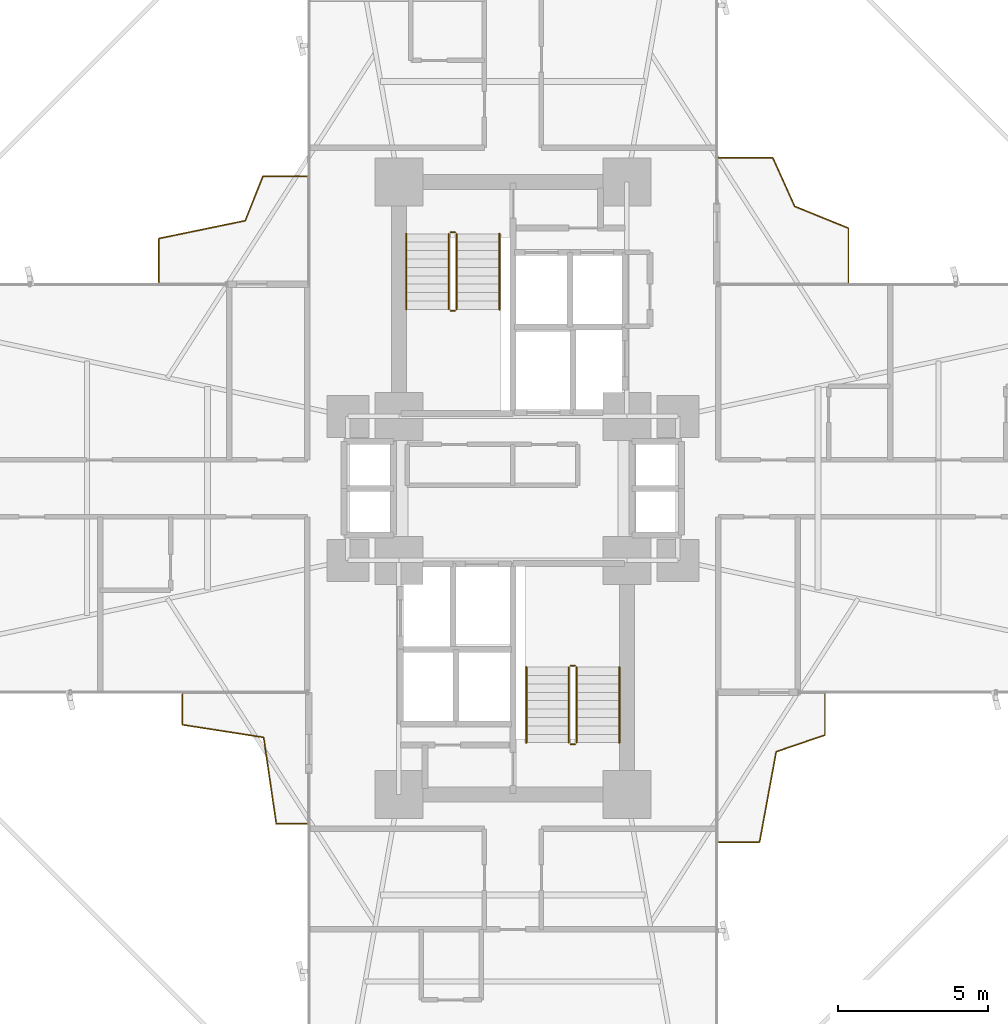
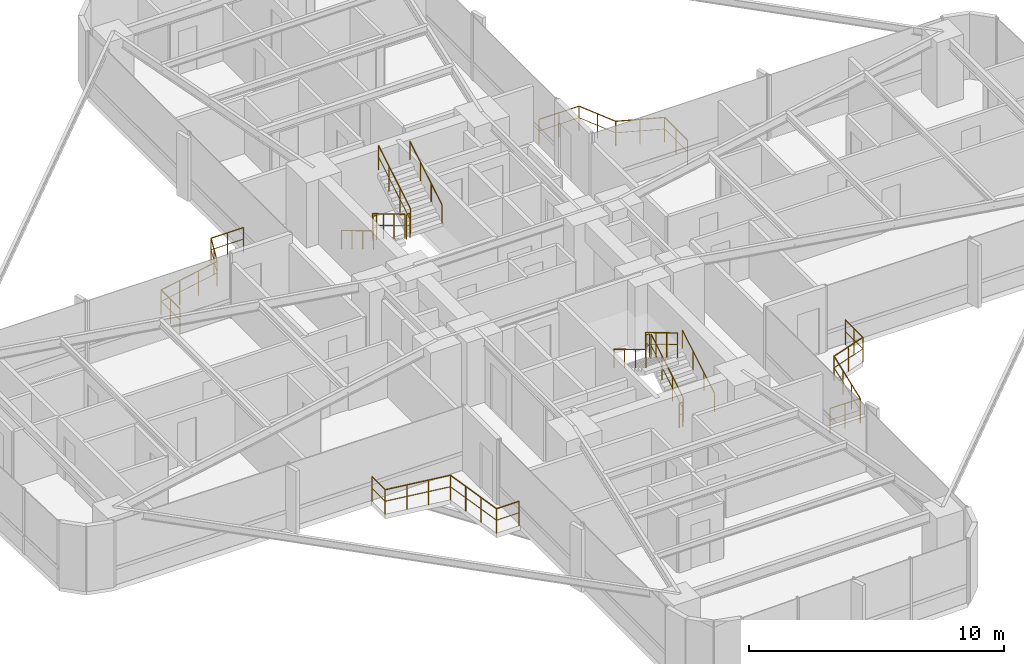
# One storey, part 26 of 26: 16 railings.
"""IFC4 building model written with IfcOpenShell, lengths in metres."""

import ifcopenshell
import ifcopenshell.guid

model = None  # the IFC model being written
_history = None  # IfcOwnerHistory: only IFC2X3 demands one
_inside = {}  # id of a spatial element -> (the spatial element, [elements in it])
_under = {}  # id of a project, library or spatial element -> (it, [spatial elements below it])
_declared = {}  # id of a project -> (the project, [libraries it declares])
_typed = {}  # id of a type object -> (the type object, [elements of that type])
_made_of = {}  # id of a material, layer set ... -> (it, [elements and type objects made of it])


def new_model(schema):
    """Start an empty IFC model of exactly this schema.

    Asked for "IFC4X3", IfcOpenShell would pick the latest addendum, in which some entities
    have other attributes; the version numbers below select the first issue.
    IFC2X3 requires an IfcOwnerHistory on every rooted entity: one is made here for all.
    """
    global model, _history
    if schema == "IFC4X3":
        model = ifcopenshell.file(schema_version=(4, 3, 0, 0))
    else:
        model = ifcopenshell.file(schema=schema)
    _inside.clear()
    _under.clear()
    _declared.clear()
    _typed.clear()
    _made_of.clear()
    _history = None
    if model.schema == "IFC2X3":
        org = make("IfcOrganization", Name="unknown")
        user = make(
            "IfcPersonAndOrganization",
            ThePerson=make("IfcPerson", FamilyName="unknown"),
            TheOrganization=org,
        )
        app = make(
            "IfcApplication",
            ApplicationDeveloper=org,
            Version="unknown",
            ApplicationFullName="unknown",
            ApplicationIdentifier="unknown",
        )
        _history = make(
            "IfcOwnerHistory",
            OwningUser=user,
            OwningApplication=app,
            ChangeAction="ADDED",
            CreationDate=0,
        )
    return model


def make(cls, **values):
    """One entity of the class cls with the attributes given. An attribute that is None is left unset."""
    return model.create_entity(
        cls, **{name: value for name, value in values.items() if value is not None}
    )


def rooted(cls, **values):
    """An entity with a GlobalId (a new one), such as an element, a storey or a relation."""
    return make(cls, GlobalId=ifcopenshell.guid.new(), OwnerHistory=_history, **values)


def si_unit(unit_type, name, prefix=None):
    """IfcSIUnit, for example si_unit("LENGTHUNIT", "METRE", prefix="MILLI")."""
    return make("IfcSIUnit", UnitType=unit_type, Prefix=prefix, Name=name)


def assignment(units):
    """IfcUnitAssignment: the units of a project."""
    return None if units is None else make("IfcUnitAssignment", Units=units)


def point(xyz):
    """IfcCartesianPoint."""
    return None if xyz is None else make("IfcCartesianPoint", Coordinates=xyz)


def direction(xyz):
    """IfcDirection."""
    return None if xyz is None else make("IfcDirection", DirectionRatios=xyz)


def frame(location, z_axis=None, x_axis=None):
    """IfcAxis2Placement3D, a coordinate frame: its origin and axes. An axis left out is left unset."""
    return make(
        "IfcAxis2Placement3D",
        Location=point(location),
        Axis=direction(z_axis),
        RefDirection=direction(x_axis),
    )


def frame_2d(location, x_axis=None):
    """IfcAxis2Placement2D, a coordinate frame in the plane: its origin and x axis."""
    return make(
        "IfcAxis2Placement2D", Location=point(location), RefDirection=direction(x_axis)
    )


def origin():
    """The frame at (0, 0, 0) with its axes left unset."""
    return frame((0.0, 0.0, 0.0))


def origin_2d():
    """The frame at (0, 0) in the plane with its x axis left unset."""
    return frame_2d((0.0, 0.0))


def place(relative_to, where):
    """IfcLocalPlacement: puts the frame where relative to a parent placement (None: the world)."""
    return make(
        "IfcLocalPlacement", PlacementRelTo=relative_to, RelativePlacement=where
    )


def context(
    kind, dimensions, precision=None, world=None, true_north=None, identifier=None
):
    """IfcGeometricRepresentationContext, for example the 3D "Model" context."""
    return make(
        "IfcGeometricRepresentationContext",
        ContextIdentifier=identifier,
        ContextType=kind,
        CoordinateSpaceDimension=dimensions,
        Precision=precision,
        WorldCoordinateSystem=world,
        TrueNorth=true_north,
    )


def subcontext(parent, identifier, kind, view, scale=None):
    """IfcGeometricRepresentationSubContext, for example "Body" below "Model"."""
    return make(
        "IfcGeometricRepresentationSubContext",
        ContextIdentifier=identifier,
        ContextType=kind,
        ParentContext=parent,
        TargetScale=scale,
        TargetView=view,
    )


def project(units=None, contexts=None):
    """IfcProject with its units and contexts."""
    return rooted(
        "IfcProject",
        Name="project",
        RepresentationContexts=contexts,
        UnitsInContext=assignment(units),
    )


def spatial(cls, under=None, at=None, **own):
    """A site, building, storey or space (cls), placed at a placement, below another one or the project."""
    s = rooted(cls, ObjectPlacement=at, **own)
    if under is not None:
        _under.setdefault(under.id(), (under, []))[1].append(s)
    return s


def profile(cls, at=None, kind="AREA", **sizes):
    """A parametric profile (cls). Its sizes go by their IFC names, for example OverallWidth=200.0."""
    return make(cls, ProfileType=kind, Position=at, **sizes)


def circle(**sizes):
    """IfcCircleProfileDef."""
    return profile("IfcCircleProfileDef", **sizes)


def extrude(swept, where, along, depth):
    """IfcExtrudedAreaSolid: the profile swept, set in the frame where, extruded along a direction by depth."""
    return make(
        "IfcExtrudedAreaSolid",
        SweptArea=swept,
        Position=where,
        ExtrudedDirection=direction(along),
        Depth=depth,
    )


def shape(context_of_items, identifier, shape_type, items):
    """IfcShapeRepresentation: the items that make up one representation, for example the "Body"."""
    return make(
        "IfcShapeRepresentation",
        ContextOfItems=context_of_items,
        RepresentationIdentifier=identifier,
        RepresentationType=shape_type,
        Items=items,
    )


def material(Name=None, Category=None):
    """IfcMaterial."""
    return make("IfcMaterial", Name=Name, Category=Category)


def made_of(thing, what):
    """Note that an element or type object is made of a material, layer set ...; save() writes the relation."""
    if what is not None:
        _made_of.setdefault(what.id(), (what, []))[1].append(thing)
    return thing


def type_object(cls, material=None, **own):
    """A type object (cls), such as IfcWallType, which elements share."""
    return made_of(rooted(cls, **own), material)


def element(
    cls,
    number,
    at=None,
    inside=None,
    cuts=None,
    type_object=None,
    material=None,
    context=None,
    identifier="Body",
    shape_type=None,
    held_by="IfcProductDefinitionShape",
    body=None,
    shapes=None,
    **own,
):
    """One element of the class cls, such as IfcWall. Its Tag is "e" and its number.

    at: its placement. inside: the storey or other place that contains it. cuts: it is an
    opening in that element (IfcRelVoidsElement). A single representation is given by context,
    identifier, shape_type and body (its items); several are given by shapes. held_by: the class
    of the entity that holds the representations. save() writes the other relations.
    """
    e = rooted(cls, Tag="e%d" % number, ObjectPlacement=at, **own)
    if body is not None:
        shapes = [shape(context, identifier, shape_type, body)]
    if shapes is not None:
        e.Representation = make(held_by, Representations=shapes)
    if inside is not None:
        _inside.setdefault(inside.id(), (inside, []))[1].append(e)
    if cuts is not None:
        rooted(
            "IfcRelVoidsElement", RelatingBuildingElement=cuts, RelatedOpeningElement=e
        )
    if type_object is not None:
        _typed.setdefault(type_object.id(), (type_object, []))[1].append(e)
    return made_of(e, material)


def aggregate(whole, parts):
    """IfcRelAggregates: a whole, such as a stair, and the parts it consists of."""
    return rooted("IfcRelAggregates", RelatingObject=whole, RelatedObjects=parts)


def save(model, path):
    """Write the relations noted so far, then the file.

    IfcRelAggregates (storeys below a building ...), IfcRelContainedInSpatialStructure (elements
    in a storey), IfcRelDefinesByType, IfcRelAssociatesMaterial and IfcRelDeclares: one each for
    every whole, place, type object, material and project.
    """
    for whole, parts in _under.values():
        aggregate(whole, parts)
    for where, things in _inside.values():
        rooted(
            "IfcRelContainedInSpatialStructure",
            RelatedElements=things,
            RelatingStructure=where,
        )
    for kind, things in _typed.values():
        rooted("IfcRelDefinesByType", RelatedObjects=things, RelatingType=kind)
    for what, things in _made_of.values():
        rooted("IfcRelAssociatesMaterial", RelatedObjects=things, RelatingMaterial=what)
    for by, libraries in _declared.values():
        rooted("IfcRelDeclares", RelatingContext=by, RelatedDefinitions=libraries)
    model.write(path)


model = new_model("IFC4")

# Units and contexts
model_context = context("Model", 3, precision=1e-05, world=origin(), true_north=direction((0.0, 1.0)))
body_context = subcontext(model_context, "Body", "Model", "MODEL_VIEW")
ifc_project = project(units=[si_unit("LENGTHUNIT", "METRE"), si_unit("AREAUNIT", "SQUARE_METRE"), si_unit("VOLUMEUNIT", "CUBIC_METRE"), si_unit("PLANEANGLEUNIT", "RADIAN"), si_unit("MASSUNIT", "GRAM", prefix="KILO")], contexts=[model_context])

# Site, building, storey
site_placement = place(None, origin())
site = spatial("IfcSite", under=ifc_project, at=site_placement, CompositionType="ELEMENT")
building_placement = place(site_placement, origin())
building = spatial("IfcBuilding", under=site, at=building_placement, Name="Sahyath Konkavel Grand Hotel", CompositionType="ELEMENT")
storey_placement = place(building_placement, frame((0.0, 0.0, 51.050048828125)))
storey = spatial("IfcBuildingStorey", under=building, at=storey_placement, Name="L13", CompositionType="ELEMENT", Elevation=51.050048828125)

# Railings
ifc_material_1 = material(Name="Anodised Bronze Aluminium", Category="aluminium")
railing_type_1 = type_object("IfcRailingType", Name="RLG-BALC-1200", PredefinedType="GUARDRAIL", material=ifc_material_1)
railing_1_placement = place(storey_placement, frame((11.18798828125, 6.860107421875, 0.0)))
element("IfcRailing", 1, at=railing_1_placement, inside=storey, type_object=railing_type_1, Name="L13 Winter-Garden Guard NE", PredefinedType="GUARDRAIL", context=body_context, shape_type="SweptSolid", body=[
    extrude(circle(Radius=0.02392578125, at=origin_2d()), frame((0.0, 0.001953125, 1.17578125), z_axis=(0.0, 1.0, 0.0), x_axis=(-1.0, 0.0, 0.0)), (0.0, 0.0, 1.0), 1.80517578125),
    extrude(circle(Radius=0.01416015625, at=origin_2d()), frame((0.0, 0.001953125, 0.6240234375), z_axis=(0.0, 1.0, 0.0), x_axis=(-1.0, 0.0, 0.0)), (0.0, 0.0, 1.0), 1.80517578125),
    extrude(circle(Radius=0.02392578125, at=origin_2d()), frame((-0.001953125, 1.809814453125, 1.17578125), z_axis=(-0.926681042321, 0.37584870068, 0.0), x_axis=(-0.37584870068, -0.926681042321, 0.0)), (0.0, 0.0, 1.0), 1.9296875),
    extrude(circle(Radius=0.01416015625, at=origin_2d()), frame((-0.001953125, 1.809814453125, 0.6240234375), z_axis=(-0.926681042321, 0.37584870068, 0.0), x_axis=(-0.37584870068, -0.926681042321, 0.0)), (0.0, 0.0, 1.0), 1.9296875),
    extrude(circle(Radius=0.02392578125, at=origin_2d()), frame((-1.792724609375, 2.53759765625, 1.17578125), z_axis=(-0.410187066774, 0.912001409128, 0.0), x_axis=(-0.912001409128, -0.410187066774, 0.0)), (0.0, 0.0, 1.0), 1.767822265625),
    extrude(circle(Radius=0.01416015625, at=origin_2d()), frame((-1.792724609375, 2.53759765625, 0.6240234375), z_axis=(-0.410187066774, 0.912001409128, 0.0), x_axis=(-0.912001409128, -0.410187066774, 0.0)), (0.0, 0.0, 1.0), 1.767822265625),
    extrude(circle(Radius=0.02392578125, at=origin_2d()), frame((-2.520751953125, 4.15185546875, 1.17578125), z_axis=(-1.0, 0.0, 0.0), x_axis=(0.0, -1.0, 0.0)), (0.0, 0.0, 1.0), 1.80517578125),
    extrude(circle(Radius=0.01416015625, at=origin_2d()), frame((-2.520751953125, 4.15185546875, 0.6240234375), z_axis=(-1.0, 0.0, 0.0), x_axis=(0.0, -1.0, 0.0)), (0.0, 0.0, 1.0), 1.80517578125),
    extrude(circle(Radius=0.02099609375, at=origin_2d()), origin(), (0.0, 0.0, 1.0), 1.15185546875),
    extrude(circle(Radius=0.02099609375, at=origin_2d()), frame((0.0, 0.904541015625, 0.0)), (0.0, 0.0, 1.0), 1.15185546875),
    extrude(circle(Radius=0.02099609375, at=origin_2d()), frame((0.0, 1.80908203125, 0.0)), (0.0, 0.0, 1.0), 1.15185546875),
    extrude(circle(Radius=0.02099609375, at=origin_2d()), frame((-0.89599609375, 2.17236328125, 0.0)), (0.0, 0.0, 1.0), 1.15185546875),
    extrude(circle(Radius=0.02099609375, at=origin_2d()), frame((-1.7919921875, 2.535888671875, 0.0)), (0.0, 0.0, 1.0), 1.15185546875),
    extrude(circle(Radius=0.02099609375, at=origin_2d()), frame((-2.1552734375, 3.34375, 0.0)), (0.0, 0.0, 1.0), 1.15185546875),
    extrude(circle(Radius=0.02099609375, at=origin_2d()), frame((-2.518798828125, 4.15185546875, 0.0)), (0.0, 0.0, 1.0), 1.15185546875),
    extrude(circle(Radius=0.02099609375, at=origin_2d()), frame((-3.42333984375, 4.15185546875, 0.0)), (0.0, 0.0, 1.0), 1.15185546875),
    extrude(circle(Radius=0.02099609375, at=origin_2d()), frame((-4.327880859375, 4.15185546875, 0.0)), (0.0, 0.0, 1.0), 1.15185546875),
])
railing_2_placement = place(storey_placement, frame((-6.860107421875, 10.406005859375, 0.0)))
element("IfcRailing", 2, at=railing_2_placement, inside=storey, type_object=railing_type_1, Name="L13 Winter-Garden Guard NW", PredefinedType="GUARDRAIL", context=body_context, shape_type="SweptSolid", body=[
    extrude(circle(Radius=0.02392578125, at=origin_2d()), frame((-0.001953125, 0.0, 1.17578125), z_axis=(-1.0, 0.0, 0.0), x_axis=(0.0, -1.0, 0.0)), (0.0, 0.0, 1.0), 1.461669921875),
    extrude(circle(Radius=0.01416015625, at=origin_2d()), frame((-0.001953125, 0.0, 0.6240234375), z_axis=(-1.0, 0.0, 0.0), x_axis=(0.0, -1.0, 0.0)), (0.0, 0.0, 1.0), 1.461669921875),
    extrude(circle(Radius=0.02392578125, at=origin_2d()), frame((-1.46630859375, -0.001953125, 1.17578125), z_axis=(-0.370549203145, -0.928812838008, 0.0), x_axis=(0.928812838008, -0.370549203145, 0.0)), (0.0, 0.0, 1.0), 1.596923828125),
    extrude(circle(Radius=0.01416015625, at=origin_2d()), frame((-1.46630859375, -0.001953125, 0.6240234375), z_axis=(-0.370549203145, -0.928812838008, 0.0), x_axis=(0.928812838008, -0.370549203145, 0.0)), (0.0, 0.0, 1.0), 1.596923828125),
    extrude(circle(Radius=0.02392578125, at=origin_2d()), frame((-2.060791015625, -1.487548828125, 1.17578125), z_axis=(-0.979366116664, -0.202094061098, 0.0), x_axis=(0.202094061098, -0.979366116664, 0.0)), (0.0, 0.0, 1.0), 2.931640625),
    extrude(circle(Radius=0.01416015625, at=origin_2d()), frame((-2.060791015625, -1.487548828125, 0.6240234375), z_axis=(-0.979366116664, -0.202094061098, 0.0), x_axis=(0.202094061098, -0.979366116664, 0.0)), (0.0, 0.0, 1.0), 2.931640625),
    extrude(circle(Radius=0.02392578125, at=origin_2d()), frame((-4.933837890625, -2.082275390625, 1.17578125), z_axis=(0.0, -1.0, 0.0), x_axis=(1.0, 0.0, 0.0)), (0.0, 0.0, 1.0), 1.461669921875),
    extrude(circle(Radius=0.01416015625, at=origin_2d()), frame((-4.933837890625, -2.082275390625, 0.6240234375), z_axis=(0.0, -1.0, 0.0), x_axis=(1.0, 0.0, 0.0)), (0.0, 0.0, 1.0), 1.461669921875),
    extrude(circle(Radius=0.02099609375, at=origin_2d()), origin(), (0.0, 0.0, 1.0), 1.15185546875),
    extrude(circle(Radius=0.02099609375, at=origin_2d()), frame((-0.73291015625, 0.0, 0.0)), (0.0, 0.0, 1.0), 1.15185546875),
    extrude(circle(Radius=0.02099609375, at=origin_2d()), frame((-1.465576171875, 0.0, 0.0)), (0.0, 0.0, 1.0), 1.15185546875),
    extrude(circle(Radius=0.02099609375, at=origin_2d()), frame((-1.76220703125, -0.74365234375, 0.0)), (0.0, 0.0, 1.0), 1.15185546875),
    extrude(circle(Radius=0.02099609375, at=origin_2d()), frame((-2.058837890625, -1.487060546875, 0.0)), (0.0, 0.0, 1.0), 1.15185546875),
    extrude(circle(Radius=0.02099609375, at=origin_2d()), frame((-3.01708984375, -1.684814453125, 0.0)), (0.0, 0.0, 1.0), 1.15185546875),
    extrude(circle(Radius=0.02099609375, at=origin_2d()), frame((-3.9755859375, -1.882568359375, 0.0)), (0.0, 0.0, 1.0), 1.15185546875),
    extrude(circle(Radius=0.02099609375, at=origin_2d()), frame((-4.933837890625, -2.080322265625, 0.0)), (0.0, 0.0, 1.0), 1.15185546875),
    extrude(circle(Radius=0.02099609375, at=origin_2d()), frame((-4.933837890625, -2.81298828125, 0.0)), (0.0, 0.0, 1.0), 1.15185546875),
    extrude(circle(Radius=0.02099609375, at=origin_2d()), frame((-4.933837890625, -3.5458984375, 0.0)), (0.0, 0.0, 1.0), 1.15185546875),
])
railing_3_placement = place(storey_placement, frame((-11.011962890625, -6.860107421875, 0.0)))
element("IfcRailing", 3, at=railing_3_placement, inside=storey, type_object=railing_type_1, Name="L13 Winter-Garden Guard SW", PredefinedType="GUARDRAIL", context=body_context, shape_type="SweptSolid", body=[
    extrude(circle(Radius=0.02392578125, at=origin_2d()), frame((0.0, -0.001953125, 1.17578125), z_axis=(0.0, -1.0, 0.0), x_axis=(1.0, 0.0, 0.0)), (0.0, 0.0, 1.0), 1.018798828125),
    extrude(circle(Radius=0.01416015625, at=origin_2d()), frame((0.0, -0.001953125, 0.6240234375), z_axis=(0.0, -1.0, 0.0), x_axis=(1.0, 0.0, 0.0)), (0.0, 0.0, 1.0), 1.018798828125),
    extrude(circle(Radius=0.02392578125, at=origin_2d()), frame((0.001953125, -1.02294921875, 1.17578125), z_axis=(0.988122181002, -0.153670281485, 0.0), x_axis=(0.153670281485, 0.988122181002, 0.0)), (0.0, 0.0, 1.0), 2.736572265625),
    extrude(circle(Radius=0.01416015625, at=origin_2d()), frame((0.001953125, -1.02294921875, 0.6240234375), z_axis=(0.988122181002, -0.153670281485, 0.0), x_axis=(0.153670281485, 0.988122181002, 0.0)), (0.0, 0.0, 1.0), 2.736572265625),
    extrude(circle(Radius=0.02392578125, at=origin_2d()), frame((2.708251953125, -1.44580078125, 1.17578125), z_axis=(0.144493143804, -0.989505801597, 0.0), x_axis=(0.989505801597, 0.144493143804, 0.0)), (0.0, 0.0, 1.0), 2.91064453125),
    extrude(circle(Radius=0.01416015625, at=origin_2d()), frame((2.708251953125, -1.44580078125, 0.6240234375), z_axis=(0.144493143804, -0.989505801597, 0.0), x_axis=(0.989505801597, 0.144493143804, 0.0)), (0.0, 0.0, 1.0), 2.91064453125),
    extrude(circle(Radius=0.02392578125, at=origin_2d()), frame((3.131103515625, -4.327880859375, 1.17578125), z_axis=(1.0, 0.0, 0.0), x_axis=(0.0, 1.0, 0.0)), (0.0, 0.0, 1.0), 1.018798828125),
    extrude(circle(Radius=0.01416015625, at=origin_2d()), frame((3.131103515625, -4.327880859375, 0.6240234375), z_axis=(1.0, 0.0, 0.0), x_axis=(0.0, 1.0, 0.0)), (0.0, 0.0, 1.0), 1.018798828125),
    extrude(circle(Radius=0.02099609375, at=origin_2d()), origin(), (0.0, 0.0, 1.0), 1.15185546875),
    extrude(circle(Radius=0.02099609375, at=origin_2d()), frame((0.0, -1.022705078125, 0.0)), (0.0, 0.0, 1.0), 1.15185546875),
    extrude(circle(Radius=0.02099609375, at=origin_2d()), frame((0.902587890625, -1.1630859375, 0.0)), (0.0, 0.0, 1.0), 1.15185546875),
    extrude(circle(Radius=0.02099609375, at=origin_2d()), frame((1.805419921875, -1.303466796875, 0.0)), (0.0, 0.0, 1.0), 1.15185546875),
    extrude(circle(Radius=0.02099609375, at=origin_2d()), frame((2.7080078125, -1.44384765625, 0.0)), (0.0, 0.0, 1.0), 1.15185546875),
    extrude(circle(Radius=0.02099609375, at=origin_2d()), frame((2.848388671875, -2.4052734375, 0.0)), (0.0, 0.0, 1.0), 1.15185546875),
    extrude(circle(Radius=0.02099609375, at=origin_2d()), frame((2.98876953125, -3.366455078125, 0.0)), (0.0, 0.0, 1.0), 1.15185546875),
    extrude(circle(Radius=0.02099609375, at=origin_2d()), frame((3.129150390625, -4.327880859375, 0.0)), (0.0, 0.0, 1.0), 1.15185546875),
    extrude(circle(Radius=0.02099609375, at=origin_2d()), frame((4.15185546875, -4.327880859375, 0.0)), (0.0, 0.0, 1.0), 1.15185546875),
])
railing_4_placement = place(storey_placement, frame((6.860107421875, -11.7939453125, 0.0)))
element("IfcRailing", 4, at=railing_4_placement, inside=storey, type_object=railing_type_1, Name="L13 Winter-Garden Guard SE", PredefinedType="GUARDRAIL", context=body_context, shape_type="SweptSolid", body=[
    extrude(circle(Radius=0.02392578125, at=origin_2d()), frame((0.001953125, 0.0, 1.17578125), z_axis=(1.0, 0.0, 0.0), x_axis=(0.0, 1.0, 0.0)), (0.0, 0.0, 1.0), 1.3623046875),
    extrude(circle(Radius=0.01416015625, at=origin_2d()), frame((0.001953125, 0.0, 0.6240234375), z_axis=(1.0, 0.0, 0.0), x_axis=(0.0, 1.0, 0.0)), (0.0, 0.0, 1.0), 1.3623046875),
    extrude(circle(Radius=0.02392578125, at=origin_2d()), frame((1.366455078125, 0.001953125, 1.17578125), z_axis=(0.181058984377, 0.98347223864, 0.0), x_axis=(-0.98347223864, 0.181058984377, 0.0)), (0.0, 0.0, 1.0), 3.0595703125),
    extrude(circle(Radius=0.01416015625, at=origin_2d()), frame((1.366455078125, 0.001953125, 0.6240234375), z_axis=(0.181058984377, 0.98347223864, 0.0), x_axis=(-0.98347223864, 0.181058984377, 0.0)), (0.0, 0.0, 1.0), 3.0595703125),
    extrude(circle(Radius=0.02392578125, at=origin_2d()), frame((1.9228515625, 3.013671875, 1.17578125), z_axis=(0.946383787402, 0.323044465892, 0.0), x_axis=(-0.323044465892, 0.946383787402, 0.0)), (0.0, 0.0, 1.0), 1.713134765625),
    extrude(circle(Radius=0.01416015625, at=origin_2d()), frame((1.9228515625, 3.013671875, 0.6240234375), z_axis=(0.946383787402, 0.323044465892, 0.0), x_axis=(-0.323044465892, 0.946383787402, 0.0)), (0.0, 0.0, 1.0), 1.713134765625),
    extrude(circle(Radius=0.02392578125, at=origin_2d()), frame((3.5458984375, 3.569580078125, 1.17578125), z_axis=(0.0, 1.0, 0.0), x_axis=(-1.0, 0.0, 0.0)), (0.0, 0.0, 1.0), 1.3623046875),
    extrude(circle(Radius=0.01416015625, at=origin_2d()), frame((3.5458984375, 3.569580078125, 0.6240234375), z_axis=(0.0, 1.0, 0.0), x_axis=(-1.0, 0.0, 0.0)), (0.0, 0.0, 1.0), 1.3623046875),
    extrude(circle(Radius=0.02099609375, at=origin_2d()), origin(), (0.0, 0.0, 1.0), 1.15185546875),
    extrude(circle(Radius=0.02099609375, at=origin_2d()), frame((0.68310546875, 0.0, 0.0)), (0.0, 0.0, 1.0), 1.15185546875),
    extrude(circle(Radius=0.02099609375, at=origin_2d()), frame((1.3662109375, 0.0, 0.0)), (0.0, 0.0, 1.0), 1.15185546875),
    extrude(circle(Radius=0.02099609375, at=origin_2d()), frame((1.551025390625, 1.00439453125, 0.0)), (0.0, 0.0, 1.0), 1.15185546875),
    extrude(circle(Radius=0.02099609375, at=origin_2d()), frame((1.736083984375, 2.008544921875, 0.0)), (0.0, 0.0, 1.0), 1.15185546875),
    extrude(circle(Radius=0.02099609375, at=origin_2d()), frame((1.9208984375, 3.012939453125, 0.0)), (0.0, 0.0, 1.0), 1.15185546875),
    extrude(circle(Radius=0.02099609375, at=origin_2d()), frame((2.7333984375, 3.290283203125, 0.0)), (0.0, 0.0, 1.0), 1.15185546875),
    extrude(circle(Radius=0.02099609375, at=origin_2d()), frame((3.5458984375, 3.567626953125, 0.0)), (0.0, 0.0, 1.0), 1.15185546875),
    extrude(circle(Radius=0.02099609375, at=origin_2d()), frame((3.5458984375, 4.250732421875, 0.0)), (0.0, 0.0, 1.0), 1.15185546875),
    extrude(circle(Radius=0.02099609375, at=origin_2d()), frame((3.5458984375, 4.933837890625, 0.0)), (0.0, 0.0, 1.0), 1.15185546875),
])
ifc_material_2 = material(Name="Steel E350", Category="steel")
railing_type_2 = type_object("IfcRailingType", Name="RLG-STAIR-GRD", PredefinedType="GUARDRAIL", material=ifc_material_2)
railing_5_placement = place(storey_placement, frame((-2.1298828125, 8.47998046875, 0.16748046875)))
element("IfcRailing", 5, at=railing_5_placement, inside=storey, type_object=railing_type_2, Name="L13 ST-1 stair guard 1", PredefinedType="GUARDRAIL", context=body_context, shape_type="SweptSolid", body=[
    extrude(circle(Radius=0.02392578125, at=origin_2d()), frame((0.0, -0.001708984375, 1.177001953125), z_axis=(0.0, -0.858159760407, 0.513382728203), x_axis=(1.0, 0.0, 0.0)), (0.0, 0.0, 1.0), 2.9326171875),
    extrude(circle(Radius=0.01416015625, at=origin_2d()), frame((0.0, -0.001708984375, 0.625), z_axis=(0.0, -0.858159760407, 0.513382728203), x_axis=(1.0, 0.0, 0.0)), (0.0, 0.0, 1.0), 2.9326171875),
    extrude(circle(Radius=0.02099609375, at=origin_2d()), origin(), (0.0, 0.0, 1.0), 1.15185546875),
    extrude(circle(Radius=0.02099609375, at=origin_2d()), frame((0.0, -0.840087890625, 0.50244140625)), (0.0, 0.0, 1.0), 1.15185546875),
    extrude(circle(Radius=0.02099609375, at=origin_2d()), frame((0.0, -1.679931640625, 1.005126953125)), (0.0, 0.0, 1.0), 1.15185546875),
    extrude(circle(Radius=0.02099609375, at=origin_2d()), frame((0.0, -2.52001953125, 1.507568359375)), (0.0, 0.0, 1.0), 1.15185546875),
])
railing_6_placement = place(storey_placement, frame((-2.080078125, 5.909912109375, 1.675048828125)))
element("IfcRailing", 6, at=railing_6_placement, inside=storey, type_object=railing_type_2, Name="L13 ST-1 stair guard 2", PredefinedType="GUARDRAIL", context=body_context, shape_type="SweptSolid", body=[
    extrude(circle(Radius=0.02392578125, at=origin_2d()), frame((0.001953125, 0.0, 1.17578125), z_axis=(1.0, 0.0, 0.0), x_axis=(0.0, 1.0, 0.0)), (0.0, 0.0, 1.0), 0.15625),
    extrude(circle(Radius=0.01416015625, at=origin_2d()), frame((0.001953125, 0.0, 0.6240234375), z_axis=(1.0, 0.0, 0.0), x_axis=(0.0, 1.0, 0.0)), (0.0, 0.0, 1.0), 0.15625),
    extrude(circle(Radius=0.02099609375, at=origin_2d()), origin(), (0.0, 0.0, 1.0), 1.15185546875),
    extrude(circle(Radius=0.02099609375, at=origin_2d()), frame((0.16015625, 0.0, 0.0)), (0.0, 0.0, 1.0), 1.15185546875),
])
railing_7_placement = place(storey_placement, frame((-1.8701171875, 5.9599609375, 1.842529296875)))
element("IfcRailing", 7, at=railing_7_placement, inside=storey, type_object=railing_type_2, Name="L13 ST-1 stair guard 3", PredefinedType="GUARDRAIL", context=body_context, shape_type="SweptSolid", body=[
    extrude(circle(Radius=0.02392578125, at=origin_2d()), frame((0.0, 0.001708984375, 1.177001953125), z_axis=(0.0, 0.858196387827, 0.513321497621), x_axis=(-1.0, 0.0, 0.0)), (0.0, 0.0, 1.0), 2.932373046875),
    extrude(circle(Radius=0.01416015625, at=origin_2d()), frame((0.0, 0.001708984375, 0.625), z_axis=(0.0, 0.858196387827, 0.513321497621), x_axis=(-1.0, 0.0, 0.0)), (0.0, 0.0, 1.0), 2.932373046875),
    extrude(circle(Radius=0.02099609375, at=origin_2d()), origin(), (0.0, 0.0, 1.0), 1.15185546875),
    extrude(circle(Radius=0.02099609375, at=origin_2d()), frame((0.0, 0.840087890625, 0.50244140625)), (0.0, 0.0, 1.0), 1.15185546875),
    extrude(circle(Radius=0.02099609375, at=origin_2d()), frame((0.0, 1.679931640625, 1.0048828125)), (0.0, 0.0, 1.0), 1.15185546875),
    extrude(circle(Radius=0.02099609375, at=origin_2d()), frame((0.0, 2.52001953125, 1.50732421875)), (0.0, 0.0, 1.0), 1.15185546875),
])
railing_8_placement = place(storey_placement, frame((-2.080078125, 8.530029296875, 0.0)))
element("IfcRailing", 8, at=railing_8_placement, inside=storey, type_object=railing_type_2, Name="L13 ST-1 stair guard 4", PredefinedType="GUARDRAIL", context=body_context, shape_type="SweptSolid", body=[
    extrude(circle(Radius=0.02392578125, at=origin_2d()), frame((0.001953125, 0.0, 1.17578125), z_axis=(1.0, 0.0, 0.0), x_axis=(0.0, 1.0, 0.0)), (0.0, 0.0, 1.0), 0.15625),
    extrude(circle(Radius=0.01416015625, at=origin_2d()), frame((0.001953125, 0.0, 0.6240234375), z_axis=(1.0, 0.0, 0.0), x_axis=(0.0, 1.0, 0.0)), (0.0, 0.0, 1.0), 0.15625),
    extrude(circle(Radius=0.02099609375, at=origin_2d()), origin(), (0.0, 0.0, 1.0), 1.15185546875),
    extrude(circle(Radius=0.02099609375, at=origin_2d()), frame((0.16015625, 0.0, 0.0)), (0.0, 0.0, 1.0), 1.15185546875),
])
railing_9_placement = place(storey_placement, frame((2.1298828125, -8.47998046875, 0.16748046875)))
element("IfcRailing", 9, at=railing_9_placement, inside=storey, type_object=railing_type_2, Name="L13 ST-2 stair guard 1", PredefinedType="GUARDRAIL", context=body_context, shape_type="SweptSolid", body=[
    extrude(circle(Radius=0.02392578125, at=origin_2d()), frame((0.0, 0.001708984375, 1.177001953125), z_axis=(0.0, 0.858159760407, 0.513382728203), x_axis=(-1.0, 0.0, 0.0)), (0.0, 0.0, 1.0), 2.9326171875),
    extrude(circle(Radius=0.01416015625, at=origin_2d()), frame((0.0, 0.001708984375, 0.625), z_axis=(0.0, 0.858159760407, 0.513382728203), x_axis=(-1.0, 0.0, 0.0)), (0.0, 0.0, 1.0), 2.9326171875),
    extrude(circle(Radius=0.02099609375, at=origin_2d()), origin(), (0.0, 0.0, 1.0), 1.15185546875),
    extrude(circle(Radius=0.02099609375, at=origin_2d()), frame((0.0, 0.840087890625, 0.50244140625)), (0.0, 0.0, 1.0), 1.15185546875),
    extrude(circle(Radius=0.02099609375, at=origin_2d()), frame((0.0, 1.679931640625, 1.005126953125)), (0.0, 0.0, 1.0), 1.15185546875),
    extrude(circle(Radius=0.02099609375, at=origin_2d()), frame((0.0, 2.52001953125, 1.507568359375)), (0.0, 0.0, 1.0), 1.15185546875),
])
railing_10_placement = place(storey_placement, frame((2.080078125, -5.909912109375, 1.675048828125)))
element("IfcRailing", 10, at=railing_10_placement, inside=storey, type_object=railing_type_2, Name="L13 ST-2 stair guard 2", PredefinedType="GUARDRAIL", context=body_context, shape_type="SweptSolid", body=[
    extrude(circle(Radius=0.02392578125, at=origin_2d()), frame((-0.001953125, 0.0, 1.17578125), z_axis=(-1.0, 0.0, 0.0), x_axis=(0.0, -1.0, 0.0)), (0.0, 0.0, 1.0), 0.15625),
    extrude(circle(Radius=0.01416015625, at=origin_2d()), frame((-0.001953125, 0.0, 0.6240234375), z_axis=(-1.0, 0.0, 0.0), x_axis=(0.0, -1.0, 0.0)), (0.0, 0.0, 1.0), 0.15625),
    extrude(circle(Radius=0.02099609375, at=origin_2d()), origin(), (0.0, 0.0, 1.0), 1.15185546875),
    extrude(circle(Radius=0.02099609375, at=origin_2d()), frame((-0.16015625, 0.0, 0.0)), (0.0, 0.0, 1.0), 1.15185546875),
])
railing_11_placement = place(storey_placement, frame((1.8701171875, -5.9599609375, 1.842529296875)))
element("IfcRailing", 11, at=railing_11_placement, inside=storey, type_object=railing_type_2, Name="L13 ST-2 stair guard 3", PredefinedType="GUARDRAIL", context=body_context, shape_type="SweptSolid", body=[
    extrude(circle(Radius=0.02392578125, at=origin_2d()), frame((0.0, -0.001708984375, 1.177001953125), z_axis=(0.0, -0.858196387827, 0.513321497621), x_axis=(1.0, 0.0, 0.0)), (0.0, 0.0, 1.0), 2.932373046875),
    extrude(circle(Radius=0.01416015625, at=origin_2d()), frame((0.0, -0.001708984375, 0.625), z_axis=(0.0, -0.858196387827, 0.513321497621), x_axis=(1.0, 0.0, 0.0)), (0.0, 0.0, 1.0), 2.932373046875),
    extrude(circle(Radius=0.02099609375, at=origin_2d()), origin(), (0.0, 0.0, 1.0), 1.15185546875),
    extrude(circle(Radius=0.02099609375, at=origin_2d()), frame((0.0, -0.840087890625, 0.50244140625)), (0.0, 0.0, 1.0), 1.15185546875),
    extrude(circle(Radius=0.02099609375, at=origin_2d()), frame((0.0, -1.679931640625, 1.0048828125)), (0.0, 0.0, 1.0), 1.15185546875),
    extrude(circle(Radius=0.02099609375, at=origin_2d()), frame((0.0, -2.52001953125, 1.50732421875)), (0.0, 0.0, 1.0), 1.15185546875),
])
railing_12_placement = place(storey_placement, frame((2.080078125, -8.530029296875, 0.0)))
element("IfcRailing", 12, at=railing_12_placement, inside=storey, type_object=railing_type_2, Name="L13 ST-2 stair guard 4", PredefinedType="GUARDRAIL", context=body_context, shape_type="SweptSolid", body=[
    extrude(circle(Radius=0.02392578125, at=origin_2d()), frame((-0.001953125, 0.0, 1.17578125), z_axis=(-1.0, 0.0, 0.0), x_axis=(0.0, -1.0, 0.0)), (0.0, 0.0, 1.0), 0.15625),
    extrude(circle(Radius=0.01416015625, at=origin_2d()), frame((-0.001953125, 0.0, 0.6240234375), z_axis=(-1.0, 0.0, 0.0), x_axis=(0.0, -1.0, 0.0)), (0.0, 0.0, 1.0), 0.15625),
    extrude(circle(Radius=0.02099609375, at=origin_2d()), origin(), (0.0, 0.0, 1.0), 1.15185546875),
    extrude(circle(Radius=0.02099609375, at=origin_2d()), frame((-0.16015625, 0.0, 0.0)), (0.0, 0.0, 1.0), 1.15185546875),
])
railing_type_3 = type_object("IfcRailingType", Name="RLG-STAIR-HND", PredefinedType="HANDRAIL", material=ifc_material_1)
railing_13_placement = place(storey_placement, frame((-3.550048828125, 8.47998046875, 0.16748046875)))
element("IfcRailing", 13, at=railing_13_placement, inside=storey, type_object=railing_type_3, Name="L13 ST-1 stair handrail 1", PredefinedType="HANDRAIL", context=body_context, shape_type="SweptSolid", body=[
    extrude(circle(Radius=0.02392578125, at=origin_2d()), frame((0.0, -0.001708984375, 0.876953125), z_axis=(0.0, -0.858159760407, 0.513382728203), x_axis=(1.0, 0.0, 0.0)), (0.0, 0.0, 1.0), 2.9326171875),
    extrude(circle(Radius=0.02099609375, at=origin_2d()), origin(), (0.0, 0.0, 1.0), 0.851806640625),
    extrude(circle(Radius=0.02099609375, at=origin_2d()), frame((0.0, -0.840087890625, 0.50244140625)), (0.0, 0.0, 1.0), 0.851806640625),
    extrude(circle(Radius=0.02099609375, at=origin_2d()), frame((0.0, -1.679931640625, 1.005126953125)), (0.0, 0.0, 1.0), 0.851806640625),
    extrude(circle(Radius=0.02099609375, at=origin_2d()), frame((0.0, -2.52001953125, 1.507568359375)), (0.0, 0.0, 1.0), 0.851806640625),
])
railing_14_placement = place(storey_placement, frame((-0.449951171875, 5.9599609375, 1.842529296875)))
element("IfcRailing", 14, at=railing_14_placement, inside=storey, type_object=railing_type_3, Name="L13 ST-1 stair handrail 2", PredefinedType="HANDRAIL", context=body_context, shape_type="SweptSolid", body=[
    extrude(circle(Radius=0.02392578125, at=origin_2d()), frame((0.0, 0.001708984375, 0.876953125), z_axis=(0.0, 0.858196387827, 0.513321497621), x_axis=(-1.0, 0.0, 0.0)), (0.0, 0.0, 1.0), 2.932373046875),
    extrude(circle(Radius=0.02099609375, at=origin_2d()), origin(), (0.0, 0.0, 1.0), 0.851806640625),
    extrude(circle(Radius=0.02099609375, at=origin_2d()), frame((0.0, 0.840087890625, 0.50244140625)), (0.0, 0.0, 1.0), 0.851806640625),
    extrude(circle(Radius=0.02099609375, at=origin_2d()), frame((0.0, 1.679931640625, 1.0048828125)), (0.0, 0.0, 1.0), 0.851806640625),
    extrude(circle(Radius=0.02099609375, at=origin_2d()), frame((0.0, 2.52001953125, 1.50732421875)), (0.0, 0.0, 1.0), 0.851806640625),
])
railing_15_placement = place(storey_placement, frame((3.550048828125, -8.47998046875, 0.16748046875)))
element("IfcRailing", 15, at=railing_15_placement, inside=storey, type_object=railing_type_3, Name="L13 ST-2 stair handrail 1", PredefinedType="HANDRAIL", context=body_context, shape_type="SweptSolid", body=[
    extrude(circle(Radius=0.02392578125, at=origin_2d()), frame((0.0, 0.001708984375, 0.876953125), z_axis=(0.0, 0.858159760407, 0.513382728203), x_axis=(-1.0, 0.0, 0.0)), (0.0, 0.0, 1.0), 2.9326171875),
    extrude(circle(Radius=0.02099609375, at=origin_2d()), origin(), (0.0, 0.0, 1.0), 0.851806640625),
    extrude(circle(Radius=0.02099609375, at=origin_2d()), frame((0.0, 0.840087890625, 0.50244140625)), (0.0, 0.0, 1.0), 0.851806640625),
    extrude(circle(Radius=0.02099609375, at=origin_2d()), frame((0.0, 1.679931640625, 1.005126953125)), (0.0, 0.0, 1.0), 0.851806640625),
    extrude(circle(Radius=0.02099609375, at=origin_2d()), frame((0.0, 2.52001953125, 1.507568359375)), (0.0, 0.0, 1.0), 0.851806640625),
])
railing_16_placement = place(storey_placement, frame((0.449951171875, -5.9599609375, 1.842529296875)))
element("IfcRailing", 16, at=railing_16_placement, inside=storey, type_object=railing_type_3, Name="L13 ST-2 stair handrail 2", PredefinedType="HANDRAIL", context=body_context, shape_type="SweptSolid", body=[
    extrude(circle(Radius=0.02392578125, at=origin_2d()), frame((0.0, -0.001708984375, 0.876953125), z_axis=(0.0, -0.858196387827, 0.513321497621), x_axis=(1.0, 0.0, 0.0)), (0.0, 0.0, 1.0), 2.932373046875),
    extrude(circle(Radius=0.02099609375, at=origin_2d()), origin(), (0.0, 0.0, 1.0), 0.851806640625),
    extrude(circle(Radius=0.02099609375, at=origin_2d()), frame((0.0, -0.840087890625, 0.50244140625)), (0.0, 0.0, 1.0), 0.851806640625),
    extrude(circle(Radius=0.02099609375, at=origin_2d()), frame((0.0, -1.679931640625, 1.0048828125)), (0.0, 0.0, 1.0), 0.851806640625),
    extrude(circle(Radius=0.02099609375, at=origin_2d()), frame((0.0, -2.52001953125, 1.50732421875)), (0.0, 0.0, 1.0), 0.851806640625),
])

save(model, "model.ifc")
